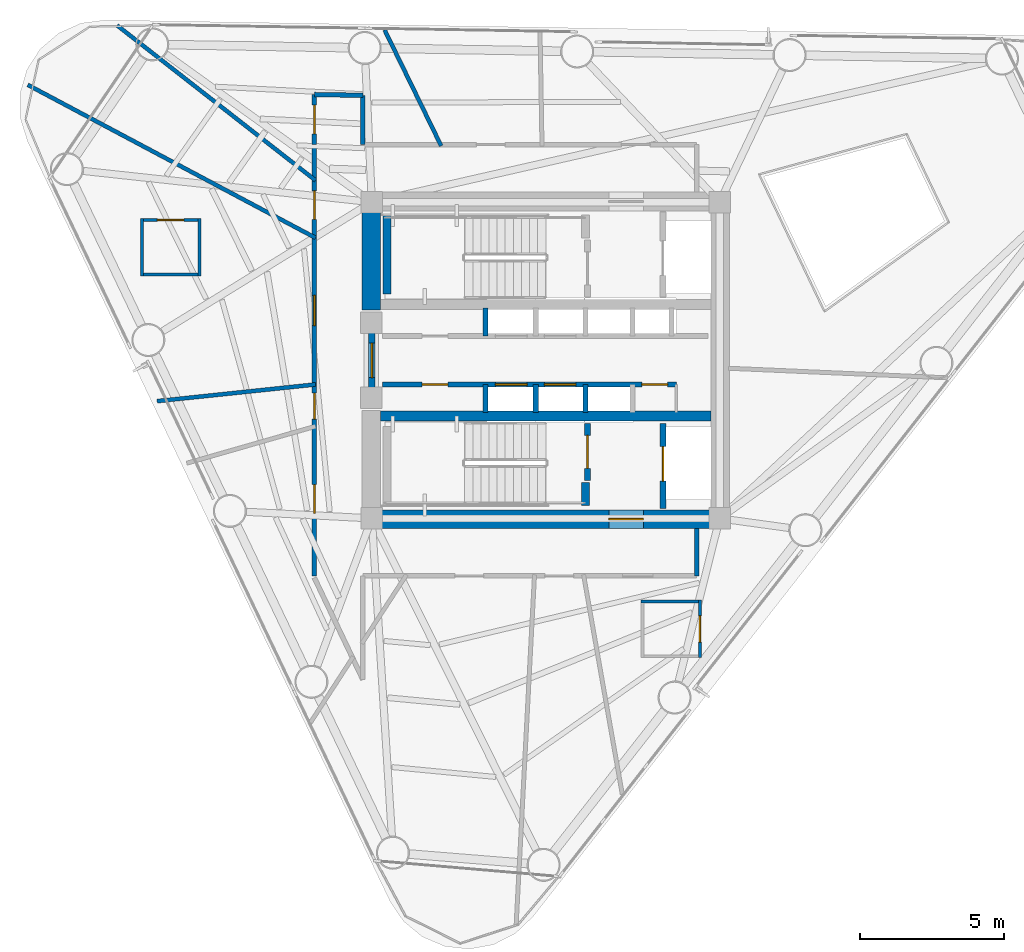
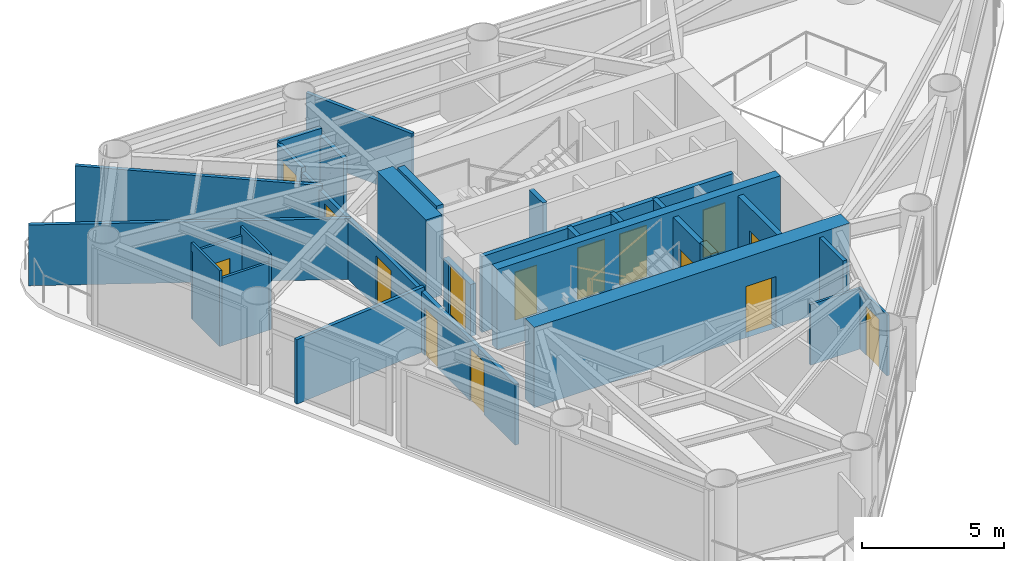
# One storey, part 5 of 9: 28 walls, 15 doors, 15 openings.
"""IFC4 building model written with IfcOpenShell, lengths in metres."""

from ifc_helpers import new_model, si_unit, direction, frame, frame_2d, origin, place, context, subcontext, project, spatial, rectangle, extrude, material, layer, layer_set, type_object, element, fill, save


model = new_model("IFC4")

# Units and contexts
model_context = context("Model", 3, precision=1e-05, world=origin(), true_north=direction((0.0, 1.0)))
body_context = subcontext(model_context, "Body", "Model", "MODEL_VIEW")
ifc_project = project(units=[si_unit("LENGTHUNIT", "METRE"), si_unit("AREAUNIT", "SQUARE_METRE"), si_unit("VOLUMEUNIT", "CUBIC_METRE"), si_unit("PLANEANGLEUNIT", "RADIAN"), si_unit("MASSUNIT", "GRAM", prefix="KILO")], contexts=[model_context])

# Site, building, storey
site_placement = place(None, origin())
site = spatial("IfcSite", under=ifc_project, at=site_placement, CompositionType="ELEMENT")
building_placement = place(site_placement, origin())
building = spatial("IfcBuilding", under=site, at=building_placement, Name="Yunling Apex Tower", CompositionType="ELEMENT")
storey_placement = place(building_placement, frame((0.0, 0.0, 198.35009765625)))
storey = spatial("IfcBuildingStorey", under=building, at=storey_placement, Name="L48", CompositionType="ELEMENT", Elevation=198.35009765625)

# Wall, opening, door
ifc_material_1 = material(Name="Concrete C50", Category="concrete")
ifc_layer_1 = layer(ifc_material_1, 0.64990234375)
ifc_layer_set_1 = layer_set([ifc_layer_1], Name="Concrete C50")
wall_type_1 = type_object("IfcWallType", Name="WL-COR-2", PredefinedType="SHEAR", material=ifc_layer_set_1)
wall_1_placement = place(storey_placement, frame((-6.39990234375, -5.52490234375, 0.0), z_axis=(0.0, 0.0, 1.0), x_axis=(1.0, 0.0, 0.0)))
wall_1 = element("IfcWall", 1, at=wall_1_placement, inside=storey, type_object=wall_type_1, Name="L48 South Core Shear Wall", PredefinedType="SHEAR", context=body_context, shape_type="SweptSolid", body=[
    extrude(rectangle(XDim=12.7998046875, YDim=0.64990234375, at=frame_2d((6.39990234375, 0.0))), origin(), (0.0, 0.0, 1.0), 3.449951171875),
])
opening_1_placement = place(wall_1_placement, frame((8.60009765625, 0.0, 0.0)))
opening_1 = element("IfcOpeningElement", 2, at=opening_1_placement, cuts=wall_1, Name="Opening DR-FFL-1", PredefinedType="OPENING", context=body_context, shape_type="SweptSolid", body=[
    extrude(rectangle(XDim=1.199951171875, YDim=2.199951171875, at=frame_2d((0.60009765625, 1.10009765625))), frame((0.0, 0.3349609375, 0.0), z_axis=(0.0, -1.0, 0.0), x_axis=(1.0, 0.0, 0.0)), (0.0, 0.0, 1.0), 0.669921875),
])
ifc_material_2 = material(Name="Steel Q355B", Category="steel")
door_type_1 = type_object("IfcDoorType", Name="DR-FFL-1", OperationType="NOTDEFINED", PredefinedType="DOOR", material=ifc_material_2)
door_1_placement = place(opening_1_placement, origin())
door_1 = element("IfcDoor", 3, at=door_1_placement, inside=storey, type_object=door_type_1, Name="L48 South Firefighting Lobby Door", OperationType="SINGLE_SWING_RIGHT", OverallHeight=2.199951171875, OverallWidth=1.199951171875, PredefinedType="DOOR", context=body_context, shape_type="SweptSolid", body=[
    extrude(rectangle(XDim=1.199951171875, YDim=2.199951171875, at=frame_2d((0.60009765625, 1.10009765625))), frame((0.0, 0.02490234375, 0.0), z_axis=(0.0, -1.0, 0.0), x_axis=(1.0, 0.0, 0.0)), (0.0, 0.0, 1.0), 0.050048828125),
])
fill(opening_1, door_1)

# Walls
wall_2_placement = place(storey_placement, frame((-6.074951171875, 1.75, 0.0), z_axis=(0.0, 0.0, 1.0), x_axis=(0.0, 1.0, 0.0)))
element("IfcWall", 4, at=wall_2_placement, inside=storey, type_object=wall_type_1, Name="L48 West-North Core Shear Wall", PredefinedType="SHEAR", context=body_context, shape_type="SweptSolid", body=[
    extrude(rectangle(XDim=3.449951171875, YDim=0.64990234375, at=frame_2d((1.72509765625, 0.0))), origin(), (0.0, 0.0, 1.0), 3.449951171875),
])
ifc_material_3 = material(Name="Concrete C40", Category="concrete")
ifc_layer_2 = layer(ifc_material_3, 0.360107421875)
ifc_layer_set_2 = layer_set([ifc_layer_2], Name="Concrete C40")
wall_type_2 = type_object("IfcWallType", Name="WL-COR-4", PredefinedType="SHEAR", material=ifc_layer_set_2)
wall_3_placement = place(storey_placement, frame((-5.75, -1.93994140625, 0.0), z_axis=(0.0, 0.0, 1.0), x_axis=(1.0, 0.0, 0.0)))
element("IfcWall", 5, at=wall_3_placement, inside=storey, type_object=wall_type_2, Name="L48 South Internal Core Shear Wall", PredefinedType="SHEAR", context=body_context, shape_type="SweptSolid", body=[
    extrude(rectangle(XDim=11.5, YDim=0.360107421875, at=frame_2d((5.75, 0.0))), origin(), (0.0, 0.0, 1.0), 3.449951171875),
])
ifc_layer_3 = layer(ifc_material_3, 0.280029296875)
ifc_layer_set_3 = layer_set([ifc_layer_3], Name="Concrete C40")
wall_type_3 = type_object("IfcWallType", Name="WL-COR-8", PredefinedType="SHEAR", material=ifc_layer_set_3)
wall_4_placement = place(storey_placement, frame((-5.52001953125, 2.300048828125, 0.0), z_axis=(0.0, 0.0, 1.0), x_axis=(0.0, 1.0, 0.0)))
element("IfcWall", 6, at=wall_4_placement, inside=storey, type_object=wall_type_3, Name="L48 ST-1 West Landing Bearing Wall", PredefinedType="SHEAR", context=body_context, shape_type="SweptSolid", body=[
    extrude(rectangle(XDim=2.75, YDim=0.280029296875, at=frame_2d((1.375, 0.0))), origin(), (0.0, 0.0, 1.0), 3.449951171875),
])
wall_5_placement = place(storey_placement, frame((1.3798828125, -5.050048828125, 0.0), z_axis=(0.0, 0.0, 1.0), x_axis=(0.0, 1.0, 0.0)))
element("IfcWall", 7, at=wall_5_placement, inside=storey, type_object=wall_type_3, Name="L48 ST-2 East Landing Bearing Pier", PredefinedType="SHEAR", context=body_context, shape_type="SweptSolid", body=[
    extrude(rectangle(XDim=0.800048828125, YDim=0.280029296875, at=frame_2d((0.39990234375, 0.0))), origin(), (0.0, 0.0, 1.0), 3.449951171875),
])

# Wall, openings, doors
ifc_material_4 = material(Name="Gypsum board acoustic partition")
ifc_layer_4 = layer(ifc_material_4, 0.159912109375)
ifc_layer_set_4 = layer_set([ifc_layer_4], Name="Gypsum board acoustic partition")
wall_type_4 = type_object("IfcWallType", Name="WL-PRT-1", PredefinedType="PARTITIONING", material=ifc_layer_set_4)
wall_6_placement = place(storey_placement, frame((-8.050048828125, -7.5, 0.0), z_axis=(0.0, 0.0, 1.0), x_axis=(0.0, 1.0, 0.0)))
wall_6 = element("IfcWall", 8, at=wall_6_placement, inside=storey, type_object=wall_type_4, Name="WL-CORR-L48-02", PredefinedType="PARTITIONING", context=body_context, shape_type="SweptSolid", body=[
    extrude(rectangle(XDim=15.0, YDim=0.159912109375, at=frame_2d((7.5, 0.0))), origin(), (0.0, 0.0, 1.0), 2.60498046875),
])
opening_2_placement = place(wall_6_placement, frame((2.1767578125, 0.0, 0.0)))
opening_2 = element("IfcOpeningElement", 9, at=opening_2_placement, cuts=wall_6, Name="Opening DR-OFF-1", PredefinedType="OPENING", context=body_context, shape_type="SweptSolid", body=[
    extrude(rectangle(XDim=1.0, YDim=2.25, at=frame_2d((0.5, 1.125))), frame((0.0, 0.08984375, 0.0), z_axis=(0.0, -1.0, 0.0), x_axis=(1.0, 0.0, 0.0)), (0.0, 0.0, 1.0), 0.179931640625),
])
opening_3_placement = place(wall_6_placement, frame((5.453369140625, 0.0, 0.0)))
opening_3 = element("IfcOpeningElement", 10, at=opening_3_placement, cuts=wall_6, Name="Opening DR-SHF-1", PredefinedType="OPENING", context=body_context, shape_type="SweptSolid", body=[
    extrude(rectangle(XDim=0.89990234375, YDim=2.050048828125, at=frame_2d((0.449951171875, 1.02490234375))), frame((0.0, 0.08984375, 0.0), z_axis=(0.0, -1.0, 0.0), x_axis=(1.0, 0.0, 0.0)), (0.0, 0.0, 1.0), 0.179931640625),
])
opening_4_placement = place(wall_6_placement, frame((8.707275390625, 0.0, 0.0)))
opening_4 = element("IfcOpeningElement", 11, at=opening_4_placement, cuts=wall_6, Name="Opening DR-FL-1", PredefinedType="OPENING", context=body_context, shape_type="SweptSolid", body=[
    extrude(rectangle(XDim=1.050048828125, YDim=2.199951171875, at=frame_2d((0.52490234375, 1.10009765625))), frame((0.0, 0.08984375, 0.0), z_axis=(0.0, -1.0, 0.0), x_axis=(1.0, 0.0, 0.0)), (0.0, 0.0, 1.0), 0.179931640625),
])
opening_5_placement = place(wall_6_placement, frame((12.397216796875, 0.0, 0.0)))
opening_5 = element("IfcOpeningElement", 12, at=opening_5_placement, cuts=wall_6, Name="Opening DR-OFF-1", PredefinedType="OPENING", context=body_context, shape_type="SweptSolid", body=[
    extrude(rectangle(XDim=1.0, YDim=2.25, at=frame_2d((0.5, 1.125))), frame((0.0, 0.08984375, 0.0), z_axis=(0.0, -1.0, 0.0), x_axis=(1.0, 0.0, 0.0)), (0.0, 0.0, 1.0), 0.179931640625),
])
ifc_material_5 = material(Name="Timber fire-rated leaf", Category="wood")
door_type_2 = type_object("IfcDoorType", Name="DR-FL-1", OperationType="NOTDEFINED", PredefinedType="DOOR", material=ifc_material_5)
door_2_placement = place(opening_4_placement, origin())
door_2 = element("IfcDoor", 13, at=door_2_placement, inside=storey, type_object=door_type_2, Name="L48 Hotel Suite Door", OperationType="SINGLE_SWING_LEFT", OverallHeight=2.199951171875, OverallWidth=1.050048828125, PredefinedType="DOOR", context=body_context, shape_type="SweptSolid", body=[
    extrude(rectangle(XDim=1.050048828125, YDim=2.199951171875, at=frame_2d((0.52490234375, 1.10009765625))), frame((0.0, 0.02490234375, 0.0), z_axis=(0.0, -1.0, 0.0), x_axis=(1.0, 0.0, 0.0)), (0.0, 0.0, 1.0), 0.050048828125),
])
fill(opening_4, door_2)
ifc_material_6 = material(Name="Bronze anodised aluminium", Category="aluminium")
door_type_3 = type_object("IfcDoorType", Name="DR-OFF-1", OperationType="NOTDEFINED", PredefinedType="DOOR", material=ifc_material_6)
door_3_placement = place(opening_2_placement, origin())
door_3 = element("IfcDoor", 14, at=door_3_placement, inside=storey, type_object=door_type_3, Name="L48 Sky Reading Lounge Door", OperationType="SINGLE_SWING_LEFT", OverallHeight=2.25, OverallWidth=1.0, PredefinedType="DOOR", context=body_context, shape_type="SweptSolid", body=[
    extrude(rectangle(XDim=1.0, YDim=2.25, at=frame_2d((0.5, 1.125))), frame((0.0, 0.02490234375, 0.0), z_axis=(0.0, -1.0, 0.0), x_axis=(1.0, 0.0, 0.0)), (0.0, 0.0, 1.0), 0.050048828125),
])
fill(opening_2, door_3)
door_4_placement = place(opening_5_placement, origin())
door_4 = element("IfcDoor", 15, at=door_4_placement, inside=storey, type_object=door_type_3, Name="L48 Club Lounge Door", OperationType="SINGLE_SWING_RIGHT", OverallHeight=2.25, OverallWidth=1.0, PredefinedType="DOOR", context=body_context, shape_type="SweptSolid", body=[
    extrude(rectangle(XDim=1.0, YDim=2.25, at=frame_2d((0.5, 1.125))), frame((0.0, 0.02490234375, 0.0), z_axis=(0.0, -1.0, 0.0), x_axis=(1.0, 0.0, 0.0)), (0.0, 0.0, 1.0), 0.050048828125),
])
fill(opening_5, door_4)
door_type_4 = type_object("IfcDoorType", Name="DR-SHF-1", OperationType="NOTDEFINED", PredefinedType="DOOR", material=ifc_material_2)
door_5_placement = place(opening_3_placement, origin())
door_5 = element("IfcDoor", 16, at=door_5_placement, inside=storey, type_object=door_type_4, Name="L48 Housekeeping Room Door", OperationType="SINGLE_SWING_RIGHT", OverallHeight=2.050048828125, OverallWidth=0.89990234375, PredefinedType="DOOR", context=body_context, shape_type="SweptSolid", body=[
    extrude(rectangle(XDim=0.89990234375, YDim=2.050048828125, at=frame_2d((0.449951171875, 1.02490234375))), frame((0.0, 0.02490234375, 0.0), z_axis=(0.0, -1.0, 0.0), x_axis=(1.0, 0.0, 0.0)), (0.0, 0.0, 1.0), 0.050048828125),
])
fill(opening_3, door_5)

# Wall, opening, door
wall_7_placement = place(storey_placement, frame((-8.050048828125, 7.5, 0.0), z_axis=(0.0, 0.0, 1.0), x_axis=(0.0, 1.0, 0.0)))
wall_7 = element("IfcWall", 17, at=wall_7_placement, inside=storey, type_object=wall_type_4, Name="WL-CORR-L48-03", PredefinedType="PARTITIONING", context=body_context, shape_type="SweptSolid", body=[
    extrude(rectangle(XDim=1.74462890625, YDim=0.159912109375, at=frame_2d((0.872314453125, 0.0))), origin(), (0.0, 0.0, 1.0), 2.804931640625),
])
opening_6_placement = place(wall_7_placement, frame((0.372314453125, 0.0, 0.0)))
opening_6 = element("IfcOpeningElement", 18, at=opening_6_placement, cuts=wall_7, Name="Opening DR-OFF-1", PredefinedType="OPENING", context=body_context, shape_type="SweptSolid", body=[
    extrude(rectangle(XDim=1.0, YDim=2.25, at=frame_2d((0.5, 1.125))), frame((0.0, 0.08984375, 0.0), z_axis=(0.0, -1.0, 0.0), x_axis=(1.0, 0.0, 0.0)), (0.0, 0.0, 1.0), 0.179931640625),
])
door_6_placement = place(opening_6_placement, origin())
door_6 = element("IfcDoor", 19, at=door_6_placement, inside=storey, type_object=door_type_3, Name="L48 Club Lounge Door", OperationType="SINGLE_SWING_LEFT", OverallHeight=2.25, OverallWidth=1.0, PredefinedType="DOOR", context=body_context, shape_type="SweptSolid", body=[
    extrude(rectangle(XDim=1.0, YDim=2.25, at=frame_2d((0.5, 1.125))), frame((0.0, 0.02490234375, 0.0), z_axis=(0.0, -1.0, 0.0), x_axis=(1.0, 0.0, 0.0)), (0.0, 0.0, 1.0), 0.050048828125),
])
fill(opening_6, door_6)

# Walls
wall_8_placement = place(storey_placement, frame((-8.050048828125, 9.24462890625, 0.0), z_axis=(0.0, 0.0, 1.0), x_axis=(0.999859611566, -0.016755809729, 0.0)))
element("IfcWall", 20, at=wall_8_placement, inside=storey, type_object=wall_type_4, Name="WL-CORR-L48-04", PredefinedType="PARTITIONING", context=body_context, shape_type="SweptSolid", body=[
    extrude(rectangle(XDim=1.690185546875, YDim=0.159912109375, at=frame_2d((0.84521484375, 0.0))), origin(), (0.0, 0.0, 1.0), 2.90478515625),
])
wall_9_placement = place(storey_placement, frame((-6.360107421875, 9.21630859375, 0.0), z_axis=(0.0, 0.0, 1.0), x_axis=(0.0, -1.0, 0.0)))
element("IfcWall", 21, at=wall_9_placement, inside=storey, type_object=wall_type_4, Name="WL-CORR-L48-05", PredefinedType="PARTITIONING", context=body_context, shape_type="SweptSolid", body=[
    extrude(rectangle(XDim=1.71630859375, YDim=0.159912109375, at=frame_2d((0.858154296875, 0.0))), origin(), (0.0, 0.0, 1.0), 2.60498046875),
])
wall_10_placement = place(storey_placement, frame((5.25, -5.85009765625, 0.0), z_axis=(0.0, 0.0, 1.0), x_axis=(0.0, -1.0, 0.0)))
element("IfcWall", 22, at=wall_10_placement, inside=storey, type_object=wall_type_4, Name="WL-CORR-L48-08", PredefinedType="PARTITIONING", context=body_context, shape_type="SweptSolid", body=[
    extrude(rectangle(XDim=1.64990234375, YDim=0.159912109375, at=frame_2d((0.824951171875, 0.0))), origin(), (0.0, 0.0, 1.0), 3.25),
])
ifc_layer_5 = layer(ifc_material_4, 0.139892578125)
ifc_layer_set_5 = layer_set([ifc_layer_5], Name="Gypsum board acoustic partition")
wall_type_5 = type_object("IfcWallType", Name="WL-PRT-2", PredefinedType="PARTITIONING", material=ifc_layer_set_5)
wall_11_placement = place(storey_placement, frame((-3.638427734375, 7.4599609375, 0.0), z_axis=(0.0, 0.0, 1.0), x_axis=(-0.438379691007, 0.898789878956, 0.0)))
element("IfcWall", 23, at=wall_11_placement, inside=storey, type_object=wall_type_5, Name="WL-RAD-L48-03", PredefinedType="PARTITIONING", context=body_context, shape_type="SweptSolid", body=[
    extrude(rectangle(XDim=4.48828125, YDim=0.139892578125, at=frame_2d((2.244140625, 0.0))), origin(), (0.0, 0.0, 1.0), 2.764892578125),
])
wall_12_placement = place(storey_placement, frame((-8.010009765625, 6.258056640625, 0.0), z_axis=(0.0, 0.0, 1.0), x_axis=(-0.788015921071, 0.615654861216, 0.0)))
element("IfcWall", 24, at=wall_12_placement, inside=storey, type_object=wall_type_5, Name="WL-RAD-L48-04", PredefinedType="PARTITIONING", context=body_context, shape_type="SweptSolid", body=[
    extrude(rectangle(XDim=8.7578125, YDim=0.139892578125, at=frame_2d((4.37890625, 0.0))), origin(), (0.0, 0.0, 1.0), 2.804931640625),
])
wall_13_placement = place(storey_placement, frame((-8.010009765625, 4.259033203125, 0.0), z_axis=(0.0, 0.0, 1.0), x_axis=(-0.882949150857, 0.469468632606, 0.0)))
element("IfcWall", 25, at=wall_13_placement, inside=storey, type_object=wall_type_5, Name="WL-RAD-L48-05", PredefinedType="PARTITIONING", context=body_context, shape_type="SweptSolid", body=[
    extrude(rectangle(XDim=11.333251953125, YDim=0.139892578125, at=frame_2d((5.66650390625, 0.0))), origin(), (0.0, 0.0, 1.0), 2.60498046875),
])
wall_14_placement = place(storey_placement, frame((-8.010009765625, -0.841796875, 0.0), z_axis=(0.0, 0.0, 1.0), x_axis=(-0.994518006468, -0.104565457063, 0.0)))
element("IfcWall", 26, at=wall_14_placement, inside=storey, type_object=wall_type_5, Name="WL-RAD-L48-06", PredefinedType="PARTITIONING", context=body_context, shape_type="SweptSolid", body=[
    extrude(rectangle(XDim=5.5380859375, YDim=0.139892578125, at=frame_2d((2.76904296875, 0.0))), origin(), (0.0, 0.0, 1.0), 2.764892578125),
])
ifc_layer_6 = layer(ifc_material_4, 0.10009765625)
ifc_layer_set_6 = layer_set([ifc_layer_6], Name="Gypsum board acoustic partition")
wall_type_6 = type_object("IfcWallType", Name="WL-PRT-4", PredefinedType="PARTITIONING", material=ifc_layer_set_6)
wall_15_placement = place(storey_placement, frame((3.31005859375, -8.39697265625, 0.0), z_axis=(0.0, 0.0, 1.0), x_axis=(1.0, 0.0, 0.0)))
element("IfcWall", 27, at=wall_15_placement, inside=storey, type_object=wall_type_6, Name="WL-ENS-L48-5N", PredefinedType="PARTITIONING", context=body_context, shape_type="SweptSolid", body=[
    extrude(rectangle(XDim=2.099853515625, YDim=0.10009765625, at=frame_2d((1.0498046875, 0.0))), origin(), (0.0, 0.0, 1.0), 2.60498046875),
])

# Wall, opening, door
wall_16_placement = place(storey_placement, frame((5.360107421875, -8.346923828125, 0.0), z_axis=(0.0, 0.0, 1.0), x_axis=(0.0, -1.0, 0.0)))
wall_16 = element("IfcWall", 28, at=wall_16_placement, inside=storey, type_object=wall_type_6, Name="WL-ENS-L48-5E", PredefinedType="PARTITIONING", context=body_context, shape_type="SweptSolid", body=[
    extrude(rectangle(XDim=2.0, YDim=0.10009765625, at=frame_2d((1.0, 0.0))), origin(), (0.0, 0.0, 1.0), 2.60498046875),
])
opening_7_placement = place(wall_16_placement, frame((0.5400390625, 0.0, 0.0)))
opening_7 = element("IfcOpeningElement", 29, at=opening_7_placement, cuts=wall_16, Name="Opening DR-WC-1", PredefinedType="OPENING", context=body_context, shape_type="SweptSolid", body=[
    extrude(rectangle(XDim=0.919921875, YDim=2.10009765625, at=frame_2d((0.4599609375, 1.050048828125))), frame((0.0, 0.06005859375, 0.0), z_axis=(0.0, -1.0, 0.0), x_axis=(1.0, 0.0, 0.0)), (0.0, 0.0, 1.0), 0.1201171875),
])
ifc_material_7 = material(Name="Timber moisture-resistant leaf", Category="wood")
door_type_5 = type_object("IfcDoorType", Name="DR-WC-1", OperationType="NOTDEFINED", PredefinedType="DOOR", material=ifc_material_7)
door_7_placement = place(opening_7_placement, origin())
door_7 = element("IfcDoor", 30, at=door_7_placement, inside=storey, type_object=door_type_5, Name="L48 En-Suite Door", OperationType="SINGLE_SWING_LEFT", OverallHeight=2.10009765625, OverallWidth=0.919921875, PredefinedType="DOOR", context=body_context, shape_type="SweptSolid", body=[
    extrude(rectangle(XDim=0.919921875, YDim=2.10009765625, at=frame_2d((0.4599609375, 1.050048828125))), frame((0.0, 0.02490234375, 0.0), z_axis=(0.0, -1.0, 0.0), x_axis=(1.0, 0.0, 0.0)), (0.0, 0.0, 1.0), 0.050048828125),
])
fill(opening_7, door_7)

wall_17_placement = place(storey_placement, frame((-14.095947265625, 4.87890625, 0.0), z_axis=(0.0, 0.0, 1.0), x_axis=(1.0, 0.0, 0.0)))
wall_17 = element("IfcWall", 31, at=wall_17_placement, inside=storey, type_object=wall_type_6, Name="WL-ENS-L48-10N", PredefinedType="PARTITIONING", context=body_context, shape_type="SweptSolid", body=[
    extrude(rectangle(XDim=2.099853515625, YDim=0.10009765625, at=frame_2d((1.0498046875, 0.0))), origin(), (0.0, 0.0, 1.0), 2.90478515625),
])
opening_8_placement = place(wall_17_placement, frame((0.590087890625, 0.0, 0.0)))
opening_8 = element("IfcOpeningElement", 32, at=opening_8_placement, cuts=wall_17, Name="Opening DR-WC-1", PredefinedType="OPENING", context=body_context, shape_type="SweptSolid", body=[
    extrude(rectangle(XDim=0.919921875, YDim=2.10009765625, at=frame_2d((0.4599609375, 1.050048828125))), frame((0.0, 0.06005859375, 0.0), z_axis=(0.0, -1.0, 0.0), x_axis=(1.0, 0.0, 0.0)), (0.0, 0.0, 1.0), 0.1201171875),
])
door_8_placement = place(opening_8_placement, origin())
door_8 = element("IfcDoor", 33, at=door_8_placement, inside=storey, type_object=door_type_5, Name="L48 En-Suite Door", OperationType="SINGLE_SWING_RIGHT", OverallHeight=2.10009765625, OverallWidth=0.919921875, PredefinedType="DOOR", context=body_context, shape_type="SweptSolid", body=[
    extrude(rectangle(XDim=0.919921875, YDim=2.10009765625, at=frame_2d((0.4599609375, 1.050048828125))), frame((0.0, 0.02490234375, 0.0), z_axis=(0.0, -1.0, 0.0), x_axis=(1.0, 0.0, 0.0)), (0.0, 0.0, 1.0), 0.050048828125),
])
fill(opening_8, door_8)

# Walls
wall_18_placement = place(storey_placement, frame((-11.99609375, 2.97900390625, 0.0), z_axis=(0.0, 0.0, 1.0), x_axis=(-1.0, 0.0, 0.0)))
element("IfcWall", 34, at=wall_18_placement, inside=storey, type_object=wall_type_6, Name="WL-ENS-L48-10S", PredefinedType="PARTITIONING", context=body_context, shape_type="SweptSolid", body=[
    extrude(rectangle(XDim=2.099853515625, YDim=0.10009765625, at=frame_2d((1.0498046875, 0.0))), origin(), (0.0, 0.0, 1.0), 2.90478515625),
])
for number, where, z_axis, x_axis, name in (
    (35, (-12.0458984375, 4.928955078125, 0.0), (0.0, 0.0, 1.0), (0.0, -1.0, 0.0), "WL-ENS-L48-10E"),
    (36, (-14.0458984375, 2.928955078125, 0.0), (0.0, 0.0, 1.0), (0.0, 1.0, 0.0), "WL-ENS-L48-10W"),
):
    element("IfcWall", number, at=place(storey_placement, frame(where, z_axis=z_axis, x_axis=x_axis)), inside=storey, type_object=wall_type_6, Name=name, PredefinedType="PARTITIONING", context=body_context, shape_type="SweptSolid", body=[
        extrude(rectangle(XDim=2.0, YDim=0.10009765625, at=frame_2d((1.0, 0.0))), origin(), (0.0, 0.0, 1.0), 3.25),
    ])

# Wall, opening, door
ifc_material_8 = material(Name="Autoclaved aerated concrete masonry", Category="masonry")
ifc_layer_7 = layer(ifc_material_8, 0.219970703125)
ifc_layer_set_7 = layer_set([ifc_layer_7], Name="Autoclaved aerated concrete masonry")
wall_type_7 = type_object("IfcWallType", Name="WL-SHF-1", PredefinedType="PLUMBINGWALL", material=ifc_layer_set_7)
wall_19_placement = place(storey_placement, frame((-6.050048828125, -0.949951171875, 0.0), z_axis=(0.0, 0.0, 1.0), x_axis=(0.0, 1.0, 0.0)))
wall_19 = element("IfcWall", 37, at=wall_19_placement, inside=storey, type_object=wall_type_7, Name="WL-COR-WPORT-L48", PredefinedType="PLUMBINGWALL", context=body_context, shape_type="SweptSolid", body=[
    extrude(rectangle(XDim=1.89990234375, YDim=0.219970703125, at=frame_2d((0.949951171875, 0.0))), origin(), (0.0, 0.0, 1.0), 2.22998046875),
])
opening_9_placement = place(wall_19_placement, frame((0.35009765625, 0.0, 0.0)))
opening_9 = element("IfcOpeningElement", 38, at=opening_9_placement, cuts=wall_19, Name="Opening DR-FFL-1", PredefinedType="OPENING", context=body_context, shape_type="SweptSolid", body=[
    extrude(rectangle(XDim=1.199951171875, YDim=2.199951171875, at=frame_2d((0.60009765625, 1.10009765625))), frame((0.0, 0.1201171875, 0.0), z_axis=(0.0, -1.0, 0.0), x_axis=(1.0, 0.0, 0.0)), (0.0, 0.0, 1.0), 0.239990234375),
])
door_9_placement = place(opening_9_placement, origin())
door_9 = element("IfcDoor", 39, at=door_9_placement, inside=storey, type_object=door_type_1, Name="L48 Passenger Lift Lobby Entrance Door", OperationType="SINGLE_SWING_LEFT", OverallHeight=2.199951171875, OverallWidth=1.199951171875, PredefinedType="DOOR", context=body_context, shape_type="SweptSolid", body=[
    extrude(rectangle(XDim=1.199951171875, YDim=2.199951171875, at=frame_2d((0.60009765625, 1.10009765625))), frame((0.0, 0.02490234375, 0.0), z_axis=(0.0, -1.0, 0.0), x_axis=(1.0, 0.0, 0.0)), (0.0, 0.0, 1.0), 0.050048828125),
])
fill(opening_9, door_9)

wall_20_placement = place(storey_placement, frame((1.449951171875, -4.179931640625, 0.0), z_axis=(0.0, 0.0, 1.0), x_axis=(0.0, 1.0, 0.0)))
wall_20 = element("IfcWall", 40, at=wall_20_placement, inside=storey, type_object=wall_type_7, Name="WL-ST2-E-L48", PredefinedType="PLUMBINGWALL", context=body_context, shape_type="SweptSolid", body=[
    extrude(rectangle(XDim=1.97998046875, YDim=0.219970703125, at=frame_2d((0.989990234375, 0.0))), origin(), (0.0, 0.0, 1.0), 3.25),
])
opening_10_placement = place(wall_20_placement, frame((0.419921875, 0.0, 0.0)))
opening_10 = element("IfcOpeningElement", 41, at=opening_10_placement, cuts=wall_20, Name="Opening DR-ST-1", PredefinedType="OPENING", context=body_context, shape_type="SweptSolid", body=[
    extrude(rectangle(XDim=1.14990234375, YDim=2.14990234375, at=frame_2d((0.574951171875, 1.074951171875))), frame((0.0, 0.1201171875, 0.0), z_axis=(0.0, -1.0, 0.0), x_axis=(1.0, 0.0, 0.0)), (0.0, 0.0, 1.0), 0.239990234375),
])
door_type_6 = type_object("IfcDoorType", Name="DR-ST-1", OperationType="NOTDEFINED", PredefinedType="DOOR", material=ifc_material_2)
door_10_placement = place(opening_10_placement, origin())
door_10 = element("IfcDoor", 42, at=door_10_placement, inside=storey, type_object=door_type_6, Name="L48 Stair ST-2 Fire Door", OperationType="SINGLE_SWING_LEFT", OverallHeight=2.14990234375, OverallWidth=1.14990234375, PredefinedType="DOOR", context=body_context, shape_type="SweptSolid", body=[
    extrude(rectangle(XDim=1.14990234375, YDim=2.14990234375, at=frame_2d((0.574951171875, 1.074951171875))), frame((0.0, 0.02490234375, 0.0), z_axis=(0.0, -1.0, 0.0), x_axis=(1.0, 0.0, 0.0)), (0.0, 0.0, 1.0), 0.050048828125),
])
fill(opening_10, door_10)

wall_21_placement = place(storey_placement, frame((4.080078125, -5.14990234375, 0.0), z_axis=(0.0, 0.0, 1.0), x_axis=(0.0, 1.0, 0.0)))
wall_21 = element("IfcWall", 43, at=wall_21_placement, inside=storey, type_object=wall_type_7, Name="WL-FFL2-W-L48", PredefinedType="PLUMBINGWALL", context=body_context, shape_type="SweptSolid", body=[
    extrude(rectangle(XDim=2.949951171875, YDim=0.219970703125, at=frame_2d((1.47509765625, 0.0))), origin(), (0.0, 0.0, 1.0), 3.25),
])
opening_11_placement = place(wall_21_placement, frame((0.949951171875, 0.0, 0.0)))
opening_11 = element("IfcOpeningElement", 44, at=opening_11_placement, cuts=wall_21, Name="Opening LD-FFL-1", PredefinedType="OPENING", context=body_context, shape_type="SweptSolid", body=[
    extrude(rectangle(XDim=1.199951171875, YDim=2.25, at=frame_2d((0.60009765625, 1.125))), frame((0.0, 0.1201171875, 0.0), z_axis=(0.0, -1.0, 0.0), x_axis=(1.0, 0.0, 0.0)), (0.0, 0.0, 1.0), 0.239990234375),
])
door_type_7 = type_object("IfcDoorType", Name="LD-FFL-1", OperationType="DOUBLE_DOOR_SLIDING", PredefinedType="DOOR", material=ifc_material_2)
door_11_placement = place(opening_11_placement, origin())
door_11 = element("IfcDoor", 45, at=door_11_placement, inside=storey, type_object=door_type_7, Name="L48 Lift FFL-2 Landing Door", OperationType="DOUBLE_DOOR_SLIDING", OverallHeight=2.25, OverallWidth=1.199951171875, PredefinedType="DOOR", context=body_context, shape_type="SweptSolid", body=[
    extrude(rectangle(XDim=1.199951171875, YDim=2.25, at=frame_2d((0.60009765625, 1.125))), frame((0.0, 0.02490234375, 0.0), z_axis=(0.0, -1.0, 0.0), x_axis=(1.0, 0.0, 0.0)), (0.0, 0.0, 1.0), 0.050048828125),
])
fill(opening_11, door_11)

# Walls
ifc_layer_8 = layer(ifc_material_8, 0.179931640625)
ifc_layer_set_8 = layer_set([ifc_layer_8], Name="Autoclaved aerated concrete masonry")
wall_type_8 = type_object("IfcWallType", Name="WL-SHF-2", PredefinedType="PLUMBINGWALL", material=ifc_layer_set_8)
for number, where, z_axis, x_axis, name in (
    (46, (-2.10009765625, 0.840087890625, 0.0), (0.0, 0.0, 1.0), (0.0, 1.0, 0.0), "WL-BNK-LM-N-L48"),
    (47, (-2.10009765625, -1.820068359375, 0.0), (0.0, 0.0, 1.0), (0.0, 1.0, 0.0), "WL-BNK-LM-S-L48"),
    (48, (-0.35009765625, -1.820068359375, 0.0), (0.0, 0.0, 1.0), (0.0, 1.0, 0.0), "WL-DIV-M34-L48"),
    (49, (1.3798828125, -1.820068359375, 0.0), (0.0, 0.0, 1.0), (0.0, 1.0, 0.0), "WL-BNK-MH-S-L48"),
):
    element("IfcWall", number, at=place(storey_placement, frame(where, z_axis=z_axis, x_axis=x_axis)), inside=storey, type_object=wall_type_8, Name=name, PredefinedType="PLUMBINGWALL", context=body_context, shape_type="SweptSolid", body=[
        extrude(rectangle(XDim=0.97998046875, YDim=0.179931640625, at=frame_2d((0.489990234375, 0.0))), origin(), (0.0, 0.0, 1.0), 3.25),
    ])

# Wall, openings, doors
wall_22_placement = place(storey_placement, frame((-5.679931640625, -0.840087890625, 0.0), z_axis=(0.0, 0.0, 1.0), x_axis=(1.0, 0.0, 0.0)))
wall_22 = element("IfcWall", 50, at=wall_22_placement, inside=storey, type_object=wall_type_8, Name="WL-LOB-S-L48", PredefinedType="PLUMBINGWALL", context=body_context, shape_type="SweptSolid", body=[
    extrude(rectangle(XDim=10.219970703125, YDim=0.179931640625, at=frame_2d((5.10986328125, 0.0))), origin(), (0.0, 0.0, 1.0), 3.25),
])
opening_12_placement = place(wall_22_placement, frame((1.3798828125, 0.0, 0.0)))
opening_12 = element("IfcOpeningElement", 51, at=opening_12_placement, cuts=wall_22, Name="Opening DR-SHF-1", PredefinedType="OPENING", context=body_context, shape_type="SweptSolid", body=[
    extrude(rectangle(XDim=0.89990234375, YDim=2.050048828125, at=frame_2d((0.449951171875, 1.02490234375))), frame((0.0, 0.10009765625, 0.0), z_axis=(0.0, -1.0, 0.0), x_axis=(1.0, 0.0, 0.0)), (0.0, 0.0, 1.0), 0.199951171875),
])
opening_13_placement = place(wall_22_placement, frame((3.929931640625, 0.0, 0.0)))
opening_13 = element("IfcOpeningElement", 52, at=opening_13_placement, cuts=wall_22, Name="Opening LD-PAS-1", PredefinedType="OPENING", context=body_context, shape_type="SweptSolid", body=[
    extrude(rectangle(XDim=1.10009765625, YDim=2.199951171875, at=frame_2d((0.550048828125, 1.10009765625))), frame((0.0, 0.10009765625, 0.0), z_axis=(0.0, -1.0, 0.0), x_axis=(1.0, 0.0, 0.0)), (0.0, 0.0, 1.0), 0.199951171875),
])
opening_14_placement = place(wall_22_placement, frame((5.6298828125, 0.0, 0.0)))
opening_14 = element("IfcOpeningElement", 53, at=opening_14_placement, cuts=wall_22, Name="Opening LD-PAS-1", PredefinedType="OPENING", context=body_context, shape_type="SweptSolid", body=[
    extrude(rectangle(XDim=1.10009765625, YDim=2.199951171875, at=frame_2d((0.550048828125, 1.10009765625))), frame((0.0, 0.10009765625, 0.0), z_axis=(0.0, -1.0, 0.0), x_axis=(1.0, 0.0, 0.0)), (0.0, 0.0, 1.0), 0.199951171875),
])
opening_15_placement = place(wall_22_placement, frame((9.02001953125, 0.0, 0.0)))
opening_15 = element("IfcOpeningElement", 54, at=opening_15_placement, cuts=wall_22, Name="Opening DR-SHF-1", PredefinedType="OPENING", context=body_context, shape_type="SweptSolid", body=[
    extrude(rectangle(XDim=0.89990234375, YDim=2.050048828125, at=frame_2d((0.449951171875, 1.02490234375))), frame((0.0, 0.10009765625, 0.0), z_axis=(0.0, -1.0, 0.0), x_axis=(1.0, 0.0, 0.0)), (0.0, 0.0, 1.0), 0.199951171875),
])
door_12_placement = place(opening_12_placement, origin())
door_12 = element("IfcDoor", 55, at=door_12_placement, inside=storey, type_object=door_type_4, Name="L48 Telecoms Room Door", OperationType="SINGLE_SWING_LEFT", OverallHeight=2.050048828125, OverallWidth=0.89990234375, PredefinedType="DOOR", context=body_context, shape_type="SweptSolid", body=[
    extrude(rectangle(XDim=0.89990234375, YDim=2.050048828125, at=frame_2d((0.449951171875, 1.02490234375))), frame((0.0, 0.02490234375, 0.0), z_axis=(0.0, -1.0, 0.0), x_axis=(1.0, 0.0, 0.0)), (0.0, 0.0, 1.0), 0.050048828125),
])
fill(opening_12, door_12)
door_13_placement = place(opening_15_placement, origin())
door_13 = element("IfcDoor", 56, at=door_13_placement, inside=storey, type_object=door_type_4, Name="L48 Core Electrical Room Door", OperationType="SINGLE_SWING_RIGHT", OverallHeight=2.050048828125, OverallWidth=0.89990234375, PredefinedType="DOOR", context=body_context, shape_type="SweptSolid", body=[
    extrude(rectangle(XDim=0.89990234375, YDim=2.050048828125, at=frame_2d((0.449951171875, 1.02490234375))), frame((0.0, 0.02490234375, 0.0), z_axis=(0.0, -1.0, 0.0), x_axis=(1.0, 0.0, 0.0)), (0.0, 0.0, 1.0), 0.050048828125),
])
fill(opening_15, door_13)
ifc_material_9 = material(Name="Silver anodised aluminium", Category="aluminium")
door_type_8 = type_object("IfcDoorType", Name="LD-PAS-1", OperationType="DOUBLE_DOOR_SLIDING", PredefinedType="DOOR", material=ifc_material_9)
door_14_placement = place(opening_13_placement, origin())
door_14 = element("IfcDoor", 57, at=door_14_placement, inside=storey, type_object=door_type_8, Name="L48 Lift PL-M3 Landing Door", OperationType="DOUBLE_DOOR_SLIDING", OverallHeight=2.199951171875, OverallWidth=1.10009765625, PredefinedType="DOOR", context=body_context, shape_type="SweptSolid", body=[
    extrude(rectangle(XDim=1.10009765625, YDim=2.199951171875, at=frame_2d((0.550048828125, 1.10009765625))), frame((0.0, 0.02490234375, 0.0), z_axis=(0.0, -1.0, 0.0), x_axis=(1.0, 0.0, 0.0)), (0.0, 0.0, 1.0), 0.050048828125),
])
fill(opening_13, door_14)
door_15_placement = place(opening_14_placement, origin())
door_15 = element("IfcDoor", 58, at=door_15_placement, inside=storey, type_object=door_type_8, Name="L48 Lift PL-M4 Landing Door", OperationType="DOUBLE_DOOR_SLIDING", OverallHeight=2.199951171875, OverallWidth=1.10009765625, PredefinedType="DOOR", context=body_context, shape_type="SweptSolid", body=[
    extrude(rectangle(XDim=1.10009765625, YDim=2.199951171875, at=frame_2d((0.550048828125, 1.10009765625))), frame((0.0, 0.02490234375, 0.0), z_axis=(0.0, -1.0, 0.0), x_axis=(1.0, 0.0, 0.0)), (0.0, 0.0, 1.0), 0.050048828125),
])
fill(opening_14, door_15)

save(model, "model.ifc")
